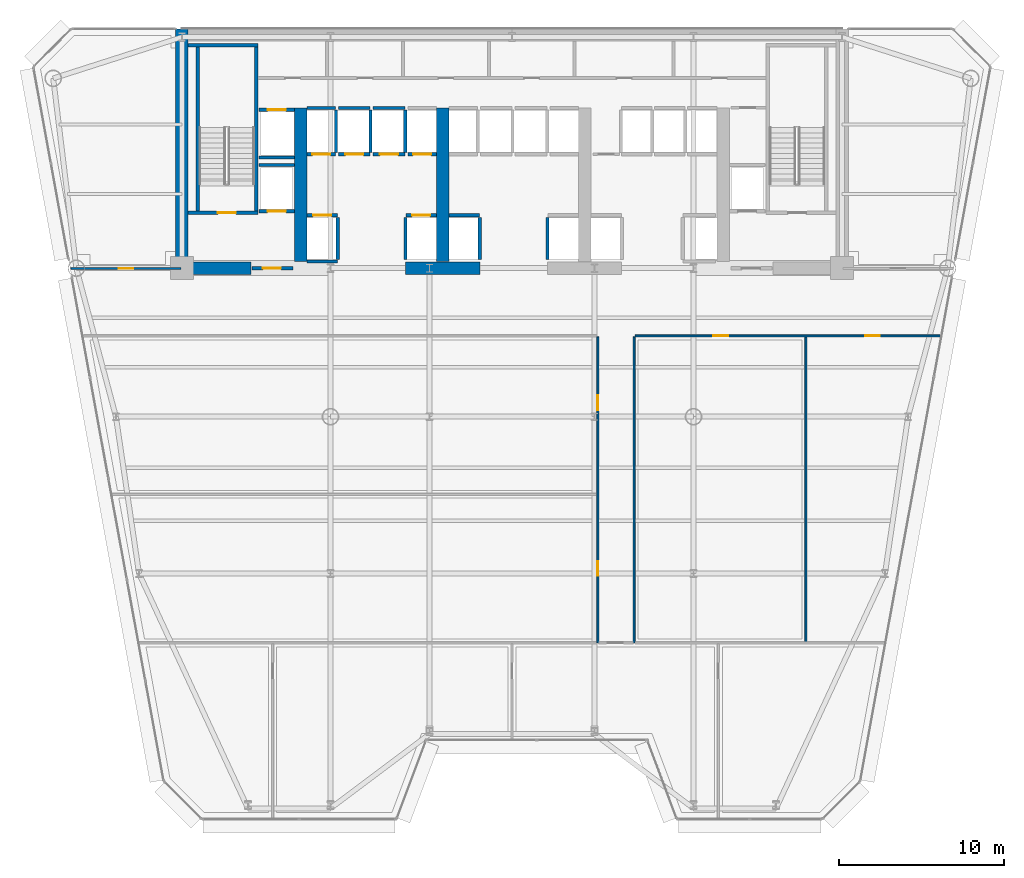
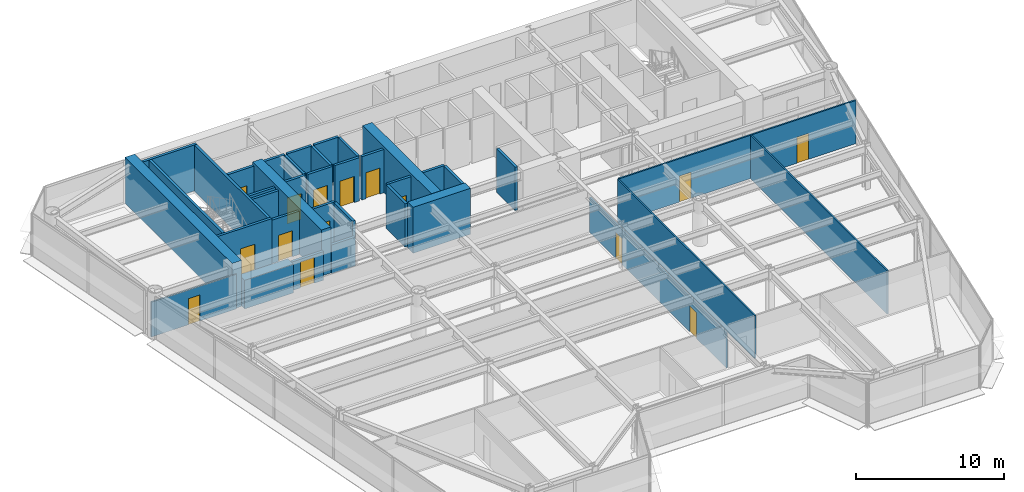
# One storey, part 9 of 15: 37 walls, 15 doors, 15 openings.
"""IFC4 building model written with IfcOpenShell, lengths in metres."""

from ifc_helpers import new_model, si_unit, direction, frame, frame_2d, origin, place, context, subcontext, project, spatial, rectangle, extrude, source, transform, mapped, material, layer, layer_set, type_object, element, fill, save


model = new_model("IFC4")

# Units and contexts
model_context = context("Model", 3, precision=1e-05, world=origin(), true_north=direction((0.0, 1.0)))
body_context = subcontext(model_context, "Body", "Model", "MODEL_VIEW")
ifc_project = project(units=[si_unit("LENGTHUNIT", "METRE"), si_unit("AREAUNIT", "SQUARE_METRE"), si_unit("VOLUMEUNIT", "CUBIC_METRE"), si_unit("PLANEANGLEUNIT", "RADIAN"), si_unit("MASSUNIT", "GRAM", prefix="KILO")], contexts=[model_context])

# Site, building, storey
site_placement = place(None, origin())
site = spatial("IfcSite", under=ifc_project, at=site_placement, CompositionType="ELEMENT")
building_placement = place(site_placement, origin())
building = spatial("IfcBuilding", under=site, at=building_placement, Name="Vaeldorn Concourse Tower", CompositionType="ELEMENT")
storey_placement = place(building_placement, frame((0.0, 0.0, 95.800048828125)))
storey = spatial("IfcBuildingStorey", under=building, at=storey_placement, Name="L24", CompositionType="ELEMENT", Elevation=95.800048828125)

# Walls
ifc_material_1 = material(Name="Concrete C60/75", Category="concrete")
ifc_layer_1 = layer(ifc_material_1, 0.75)
ifc_layer_set_1 = layer_set([ifc_layer_1], Name="Concrete C60/75")
wall_type_1 = type_object("IfcWallType", Name="WL-CORE-750", PredefinedType="SHEAR", material=ifc_layer_set_1)
wall_1_placement = place(storey_placement, frame((14.0, 36.5, 0.0), z_axis=(0.0, 0.0, 1.0), x_axis=(0.0, 1.0, 0.0)))
element("IfcWall", 1, at=wall_1_placement, inside=storey, type_object=wall_type_1, Name="Rear Core Shear Wall L24 W1", PredefinedType="SHEAR", context=body_context, shape_type="SweptSolid", body=[
    extrude(rectangle(XDim=14.5, YDim=0.75, at=frame_2d((7.25, 0.0))), origin(), (0.0, 0.0, 1.0), 3.800048828125),
])
wall_2_placement = place(storey_placement, frame((14.39501953125, 36.5, 0.0), z_axis=(0.0, 0.0, 1.0), x_axis=(1.0, 0.0, 0.0)))
element("IfcWall", 2, at=wall_2_placement, inside=storey, type_object=wall_type_1, Name="Rear Core Shear Wall L24 S1", PredefinedType="SHEAR", context=body_context, shape_type="SweptSolid", body=[
    extrude(rectangle(XDim=3.804931640625, YDim=0.75, at=frame_2d((1.90234375, 0.0))), origin(), (0.0, 0.0, 1.0), 2.3798828125),
])
wall_3_placement = place(storey_placement, frame((27.550048828125, 36.5, 0.0), z_axis=(0.0, 0.0, 1.0), x_axis=(1.0, 0.0, 0.0)))
element("IfcWall", 3, at=wall_3_placement, inside=storey, type_object=wall_type_1, Name="Rear Core Shear Wall L24 S2", PredefinedType="SHEAR", context=body_context, shape_type="SweptSolid", body=[
    extrude(rectangle(XDim=4.5, YDim=0.75, at=frame_2d((2.25, 0.0))), origin(), (0.0, 0.0, 1.0), 3.800048828125),
])
for number, where, z_axis, x_axis, name in (
    (4, (21.199951171875, 36.89501953125, 0.0), (0.0, 0.0, 1.0), (0.0, 1.0, 0.0), "Rear Core Shear Wall L24 M1"),
    (5, (29.800048828125, 36.89501953125, 0.0), (0.0, 0.0, 1.0), (0.0, 1.0, 0.0), "Rear Core Shear Wall L24 M2"),
):
    element("IfcWall", number, at=place(storey_placement, frame(where, z_axis=z_axis, x_axis=x_axis)), inside=storey, type_object=wall_type_1, Name=name, PredefinedType="SHEAR", context=body_context, shape_type="SweptSolid", body=[
        extrude(rectangle(XDim=9.304931640625, YDim=0.75, at=frame_2d((4.65234375, 0.0))), origin(), (0.0, 0.0, 1.0), 3.800048828125),
    ])

# Wall, openings, doors
ifc_material_2 = material(Name="Gypsum Board Partition", Category="gypsum")
ifc_layer_2 = layer(ifc_material_2, 0.1201171875)
ifc_layer_set_2 = layer_set([ifc_layer_2], Name="Gypsum Board Partition")
wall_type_2 = type_object("IfcWallType", Name="WL-PART-120", PredefinedType="PARTITIONING", material=ifc_layer_set_2)
wall_4_placement = place(storey_placement, frame((41.4599609375, 32.39990234375, 0.0), z_axis=(0.0, 0.0, 1.0), x_axis=(1.0, 0.0, 0.0)))
wall_4 = element("IfcWall", 6, at=wall_4_placement, inside=storey, type_object=wall_type_2, Name="Interior Wall PW-L24-C2SE", PredefinedType="PARTITIONING", context=body_context, shape_type="SweptSolid", body=[
    extrude(rectangle(XDim=18.524658203125, YDim=0.1201171875, at=frame_2d((9.26220703125, 0.0))), origin(), (0.0, 0.0, 1.0), 3.579833984375),
])
opening_1_placement = place(wall_4_placement, frame((4.739990234375, 0.0, 0.0)))
opening_1 = element("IfcOpeningElement", 7, at=opening_1_placement, cuts=wall_4, Name="Opening D-03", PredefinedType="OPENING", context=body_context, shape_type="SweptSolid", body=[
    extrude(rectangle(XDim=0.89990234375, YDim=2.14990234375, at=frame_2d((0.449951171875, 1.074951171875))), frame((0.0, 0.070068359375, 0.0), z_axis=(0.0, -1.0, 0.0), x_axis=(1.0, 0.0, 0.0)), (0.0, 0.0, 1.0), 0.14013671875),
])
opening_2_placement = place(wall_4_placement, frame((13.931884765625, 0.0, 0.0)))
opening_2 = element("IfcOpeningElement", 8, at=opening_2_placement, cuts=wall_4, Name="Opening D-03", PredefinedType="OPENING", context=body_context, shape_type="SweptSolid", body=[
    extrude(rectangle(XDim=0.89990234375, YDim=2.14990234375, at=frame_2d((0.449951171875, 1.074951171875))), frame((0.0, 0.070068359375, 0.0), z_axis=(0.0, -1.0, 0.0), x_axis=(1.0, 0.0, 0.0)), (0.0, 0.0, 1.0), 0.14013671875),
])
ifc_material_3 = material(Name="Acoustic Bronze-Framed Glass Door", Category="glass")
door_type_1 = type_object("IfcDoorType", Name="DR-INT-900", OperationType="NOTDEFINED", PredefinedType="DOOR", material=ifc_material_3)
shared_shape_1 = source(origin(), body_context, "Body", "SweptSolid", [
    extrude(rectangle(XDim=0.89990234375, YDim=2.14990234375, at=frame_2d((0.449951171875, 1.074951171875))), frame((0.0, 0.02490234375, 0.0), z_axis=(0.0, -1.0, 0.0), x_axis=(1.0, 0.0, 0.0)), (0.0, 0.0, 1.0), 0.050048828125),
])
door_1_placement = place(opening_1_placement, origin())
door_1 = element("IfcDoor", 9, at=door_1_placement, inside=storey, type_object=door_type_1, Name="Interior Door DR-L24-Z2E1", OperationType="SINGLE_SWING_RIGHT", OverallHeight=2.14990234375, OverallWidth=0.89990234375, PredefinedType="DOOR", context=body_context, shape_type="MappedRepresentation", body=[
    mapped(shared_shape_1, transform((0.0, 0.0, 0.0), scale=1.0)),
])
fill(opening_1, door_1)
door_2_placement = place(opening_2_placement, origin())
door_2 = element("IfcDoor", 10, at=door_2_placement, inside=storey, type_object=door_type_1, Name="Interior Door DR-L24-Z2E2", OperationType="SINGLE_SWING_LEFT", OverallHeight=2.14990234375, OverallWidth=0.89990234375, PredefinedType="DOOR", context=body_context, shape_type="MappedRepresentation", body=[
    mapped(shared_shape_1, transform((0.0, 0.0, 0.0), scale=1.0)),
])
fill(opening_2, door_2)

wall_5_placement = place(storey_placement, frame((39.199951171875, 13.800048828125, 0.0), z_axis=(0.0, 0.0, 1.0), x_axis=(0.0, 1.0, 0.0)))
wall_5 = element("IfcWall", 11, at=wall_5_placement, inside=storey, type_object=wall_type_2, Name="Interior Wall PW-L24-SP2W", PredefinedType="PARTITIONING", context=body_context, shape_type="SweptSolid", body=[
    extrude(rectangle(XDim=18.5400390625, YDim=0.1201171875, at=frame_2d((9.27001953125, 0.0))), origin(), (0.0, 0.0, 1.0), 2.869873046875),
])
opening_3_placement = place(wall_5_placement, frame((4.050048828125, 0.0, 0.0)))
opening_3 = element("IfcOpeningElement", 12, at=opening_3_placement, cuts=wall_5, Name="Opening D-03", PredefinedType="OPENING", context=body_context, shape_type="SweptSolid", body=[
    extrude(rectangle(XDim=0.89990234375, YDim=2.14990234375, at=frame_2d((0.449951171875, 1.074951171875))), frame((0.0, 0.070068359375, 0.0), z_axis=(0.0, -1.0, 0.0), x_axis=(1.0, 0.0, 0.0)), (0.0, 0.0, 1.0), 0.14013671875),
])
opening_4_placement = place(wall_5_placement, frame((14.10009765625, 0.0, 0.0)))
opening_4 = element("IfcOpeningElement", 13, at=opening_4_placement, cuts=wall_5, Name="Opening D-03", PredefinedType="OPENING", context=body_context, shape_type="SweptSolid", body=[
    extrude(rectangle(XDim=0.89990234375, YDim=2.14990234375, at=frame_2d((0.449951171875, 1.074951171875))), frame((0.0, 0.070068359375, 0.0), z_axis=(0.0, -1.0, 0.0), x_axis=(1.0, 0.0, 0.0)), (0.0, 0.0, 1.0), 0.14013671875),
])
door_3_placement = place(opening_3_placement, origin())
door_3 = element("IfcDoor", 14, at=door_3_placement, inside=storey, type_object=door_type_1, Name="Interior Door DR-L24-Z2W1", OperationType="SINGLE_SWING_LEFT", OverallHeight=2.14990234375, OverallWidth=0.89990234375, PredefinedType="DOOR", context=body_context, shape_type="MappedRepresentation", body=[
    mapped(shared_shape_1, transform((0.0, 0.0, 0.0), scale=1.0)),
])
fill(opening_3, door_3)
door_4_placement = place(opening_4_placement, origin())
door_4 = element("IfcDoor", 15, at=door_4_placement, inside=storey, type_object=door_type_1, Name="Interior Door DR-L24-Z2W2", OperationType="SINGLE_SWING_RIGHT", OverallHeight=2.14990234375, OverallWidth=0.89990234375, PredefinedType="DOOR", context=body_context, shape_type="MappedRepresentation", body=[
    mapped(shared_shape_1, transform((0.0, 0.0, 0.0), scale=1.0)),
])
fill(opening_4, door_4)

# Wall
wall_6_placement = place(storey_placement, frame((41.39990234375, 13.800048828125, 0.0), z_axis=(0.0, 0.0, 1.0), x_axis=(0.0, 1.0, 0.0)))
element("IfcWall", 16, at=wall_6_placement, inside=storey, type_object=wall_type_2, Name="Interior Wall PW-L24-SP2E", PredefinedType="PARTITIONING", context=body_context, shape_type="SweptSolid", body=[
    extrude(rectangle(XDim=18.5400390625, YDim=0.1201171875, at=frame_2d((9.27001953125, 0.0))), origin(), (0.0, 0.0, 1.0), 3.579833984375),
])

# Wall, opening, door
wall_7_placement = place(storey_placement, frame((7.27587890625, 36.47998046875, 0.0), z_axis=(0.0, 0.0, 1.0), x_axis=(1.0, 0.0, 0.0)))
wall_7 = element("IfcWall", 17, at=wall_7_placement, inside=storey, type_object=wall_type_2, Name="Interior Wall PW-L24-NWS", PredefinedType="PARTITIONING", context=body_context, shape_type="SweptSolid", body=[
    extrude(rectangle(XDim=6.6640625, YDim=0.1201171875, at=frame_2d((3.33203125, 0.0))), origin(), (0.0, 0.0, 1.0), 2.869873046875),
])
opening_5_placement = place(wall_7_placement, frame((2.882080078125, 0.0, 0.0)))
opening_5 = element("IfcOpeningElement", 18, at=opening_5_placement, cuts=wall_7, Name="Opening D-03", PredefinedType="OPENING", context=body_context, shape_type="SweptSolid", body=[
    extrude(rectangle(XDim=0.89990234375, YDim=2.14990234375, at=frame_2d((0.449951171875, 1.074951171875))), frame((0.0, 0.070068359375, 0.0), z_axis=(0.0, -1.0, 0.0), x_axis=(1.0, 0.0, 0.0)), (0.0, 0.0, 1.0), 0.14013671875),
])
door_5_placement = place(opening_5_placement, origin())
door_5 = element("IfcDoor", 19, at=door_5_placement, inside=storey, type_object=door_type_1, Name="Interior Door DR-L24-NWC", OperationType="SINGLE_SWING_LEFT", OverallHeight=2.14990234375, OverallWidth=0.89990234375, PredefinedType="DOOR", context=body_context, shape_type="MappedRepresentation", body=[
    mapped(shared_shape_1, transform((0.0, 0.0, 0.0), scale=1.0)),
])
fill(opening_5, door_5)

# Wall
wall_8_placement = place(storey_placement, frame((51.800048828125, 13.860107421875, 0.0), z_axis=(0.0, 0.0, 1.0), x_axis=(0.0, 1.0, 0.0)))
element("IfcWall", 20, at=wall_8_placement, inside=storey, type_object=wall_type_2, Name="Interior Wall PW-L24-Z2EX1", PredefinedType="PARTITIONING", context=body_context, shape_type="SweptSolid", body=[
    extrude(rectangle(XDim=18.47998046875, YDim=0.1201171875, at=frame_2d((9.239990234375, 0.0))), origin(), (0.0, 0.0, 1.0), 3.579833984375),
])

# Wall, opening, door
ifc_material_4 = material(Name="Concrete C50/60", Category="concrete")
ifc_layer_3 = layer(ifc_material_4, 0.199951171875)
ifc_layer_set_3 = layer_set([ifc_layer_3], Name="Concrete C50/60")
wall_type_3 = type_object("IfcWallType", Name="WL-SHAFT-200", PredefinedType="SOLIDWALL", material=ifc_layer_set_3)
wall_9_placement = place(storey_placement, frame((14.375, 39.85009765625, 0.0), z_axis=(0.0, 0.0, 1.0), x_axis=(1.0, 0.0, 0.0)))
wall_9 = element("IfcWall", 21, at=wall_9_placement, inside=storey, type_object=wall_type_3, Name="Stair Shaft Wall CW-L24-ST-1-S", PredefinedType="SOLIDWALL", context=body_context, shape_type="SweptSolid", body=[
    extrude(rectangle(XDim=4.22509765625, YDim=0.199951171875, at=frame_2d((2.112548828125, 0.0))), origin(), (0.0, 0.0, 1.0), 3.800048828125),
])
opening_6_placement = place(wall_9_placement, frame((1.800048828125, 0.0, 0.0)))
opening_6 = element("IfcOpeningElement", 22, at=opening_6_placement, cuts=wall_9, Name="Opening D-01", PredefinedType="OPENING", context=body_context, shape_type="SweptSolid", body=[
    extrude(rectangle(XDim=1.10009765625, YDim=2.14990234375, at=frame_2d((0.550048828125, 1.074951171875))), frame((0.0, 0.10986328125, 0.0), z_axis=(0.0, -1.0, 0.0), x_axis=(1.0, 0.0, 0.0)), (0.0, 0.0, 1.0), 0.219970703125),
])
ifc_material_5 = material(Name="Fire-Rated Timber and Steel Leaf", Category="steel")
door_type_2 = type_object("IfcDoorType", Name="DR-FD60-1100", OperationType="NOTDEFINED", PredefinedType="DOOR", material=ifc_material_5)
shared_shape_2 = source(origin(), body_context, "Body", "SweptSolid", [
    extrude(rectangle(XDim=1.10009765625, YDim=2.14990234375, at=frame_2d((0.550048828125, 1.074951171875))), frame((0.0, 0.02490234375, 0.0), z_axis=(0.0, -1.0, 0.0), x_axis=(1.0, 0.0, 0.0)), (0.0, 0.0, 1.0), 0.050048828125),
])
door_6_placement = place(opening_6_placement, origin())
door_6 = element("IfcDoor", 23, at=door_6_placement, inside=storey, type_object=door_type_2, Name="Interior Door DR-L24-ST-1", OperationType="SINGLE_SWING_LEFT", OverallHeight=2.14990234375, OverallWidth=1.10009765625, PredefinedType="DOOR", context=body_context, shape_type="MappedRepresentation", body=[
    mapped(shared_shape_2, transform((0.0, 0.0, 0.0), scale=1.0)),
])
fill(opening_6, door_6)

# Walls
wall_10_placement = place(storey_placement, frame((14.375, 50.0, 0.0), z_axis=(0.0, 0.0, 1.0), x_axis=(1.0, 0.0, 0.0)))
element("IfcWall", 24, at=wall_10_placement, inside=storey, type_object=wall_type_3, Name="Stair Shaft Wall CW-L24-ST-1-N", PredefinedType="SOLIDWALL", context=body_context, shape_type="SweptSolid", body=[
    extrude(rectangle(XDim=4.22509765625, YDim=0.199951171875, at=frame_2d((2.112548828125, 0.0))), origin(), (0.0, 0.0, 1.0), 3.800048828125),
])
for number, where, z_axis, x_axis, name in (
    (25, (14.949951171875, 39.9599609375, 0.0), (0.0, 0.0, 1.0), (0.0, 1.0, 0.0), "Stair Shaft Wall CW-L24-ST-1-W"),
    (26, (18.5, 39.9599609375, 0.0), (0.0, 0.0, 1.0), (0.0, 1.0, 0.0), "Stair Shaft Wall CW-L24-ST-1-E"),
):
    element("IfcWall", number, at=place(storey_placement, frame(where, z_axis=z_axis, x_axis=x_axis)), inside=storey, type_object=wall_type_3, Name=name, PredefinedType="SOLIDWALL", context=body_context, shape_type="SweptSolid", body=[
        extrude(rectangle(XDim=9.929931640625, YDim=0.199951171875, at=frame_2d((4.96484375, 0.0))), origin(), (0.0, 0.0, 1.0), 3.800048828125),
    ])

# Wall, opening, door
wall_11_placement = place(storey_placement, frame((18.25, 36.5, 0.0), z_axis=(0.0, 0.0, 1.0), x_axis=(1.0, 0.0, 0.0)))
wall_11 = element("IfcWall", 27, at=wall_11_placement, inside=storey, type_object=wall_type_3, Name="Interior Wall CW-L24-FF1S", PredefinedType="SOLIDWALL", context=body_context, shape_type="SweptSolid", body=[
    extrude(rectangle(XDim=2.469970703125, YDim=0.199951171875, at=frame_2d((1.23486328125, 0.0))), origin(), (0.0, 0.0, 1.0), 2.369873046875),
])
opening_7_placement = place(wall_11_placement, frame((0.64990234375, 0.0, 0.0)))
opening_7 = element("IfcOpeningElement", 28, at=opening_7_placement, cuts=wall_11, Name="Opening D-01", PredefinedType="OPENING", context=body_context, shape_type="SweptSolid", body=[
    extrude(rectangle(XDim=1.10009765625, YDim=2.14990234375, at=frame_2d((0.550048828125, 1.074951171875))), frame((0.0, 0.10986328125, 0.0), z_axis=(0.0, -1.0, 0.0), x_axis=(1.0, 0.0, 0.0)), (0.0, 0.0, 1.0), 0.219970703125),
])
door_7_placement = place(opening_7_placement, origin())
door_7 = element("IfcDoor", 29, at=door_7_placement, inside=storey, type_object=door_type_2, Name="Interior Door DR-L24-FF1E", OperationType="SINGLE_SWING_RIGHT", OverallHeight=2.14990234375, OverallWidth=1.10009765625, PredefinedType="DOOR", context=body_context, shape_type="MappedRepresentation", body=[
    mapped(shared_shape_2, transform((0.0, 0.0, 0.0), scale=1.0)),
])
fill(opening_7, door_7)

wall_12_placement = place(storey_placement, frame((21.5849609375, 39.699951171875, 0.0), z_axis=(0.0, 0.0, 1.0), x_axis=(1.0, 0.0, 0.0)))
wall_12 = element("IfcWall", 30, at=wall_12_placement, inside=storey, type_object=wall_type_3, Name="Interior Wall CW-L24-LF-LF-01", PredefinedType="SOLIDWALL", context=body_context, shape_type="SweptSolid", body=[
    extrude(rectangle(XDim=1.844970703125, YDim=0.199951171875, at=frame_2d((0.92236328125, 0.0))), origin(), (0.0, 0.0, 1.0), 3.579833984375),
])
opening_8_placement = place(wall_12_placement, frame((0.3720703125, 0.0, 0.0)))
opening_8 = element("IfcOpeningElement", 31, at=opening_8_placement, cuts=wall_12, Name="Opening LD-1", PredefinedType="OPENING", context=body_context, shape_type="SweptSolid", body=[
    extrude(rectangle(XDim=1.10009765625, YDim=2.14990234375, at=frame_2d((0.550048828125, 1.074951171875))), frame((0.0, 0.10986328125, 0.0), z_axis=(0.0, -1.0, 0.0), x_axis=(1.0, 0.0, 0.0)), (0.0, 0.0, 1.0), 0.219970703125),
])
ifc_material_6 = material(Name="Anodised Bronze Aluminium", Category="aluminium")
door_type_3 = type_object("IfcDoorType", Name="DR-LIFT-SLIDE-1100", OperationType="DOUBLE_DOOR_SLIDING", PredefinedType="DOOR", material=ifc_material_6)
door_8_placement = place(opening_8_placement, origin())
door_8 = element("IfcDoor", 32, at=door_8_placement, inside=storey, type_object=door_type_3, Name="Lift Landing Door LD-L24-LF-01", OperationType="DOUBLE_DOOR_SLIDING", OverallHeight=2.14990234375, OverallWidth=1.10009765625, PredefinedType="DOOR", context=body_context, shape_type="MappedRepresentation", body=[
    mapped(shared_shape_2, transform((0.0, 0.0, 0.0), scale=1.0)),
])
fill(opening_8, door_8)

# Walls
wall_13_placement = place(storey_placement, frame((21.5849609375, 36.89990234375, 0.0), z_axis=(0.0, 0.0, 1.0), x_axis=(1.0, 0.0, 0.0)))
element("IfcWall", 33, at=wall_13_placement, inside=storey, type_object=wall_type_3, Name="Interior Wall CW-L24-LFB-LF-01", PredefinedType="SOLIDWALL", context=body_context, shape_type="SweptSolid", body=[
    extrude(rectangle(XDim=1.844970703125, YDim=0.199951171875, at=frame_2d((0.92236328125, 0.0))), origin(), (0.0, 0.0, 1.0), 2.369873046875),
])
wall_14_placement = place(storey_placement, frame((23.449951171875, 37.02001953125, 0.0), z_axis=(0.0, 0.0, 1.0), x_axis=(0.0, 1.0, 0.0)))
element("IfcWall", 34, at=wall_14_placement, inside=storey, type_object=wall_type_3, Name="Interior Wall CW-L24-LFE-LF-01", PredefinedType="SOLIDWALL", context=body_context, shape_type="SweptSolid", body=[
    extrude(rectangle(XDim=2.56005859375, YDim=0.199951171875, at=frame_2d((1.280029296875, 0.0))), origin(), (0.0, 0.0, 1.0), 3.579833984375),
])

# Wall, opening, door
wall_15_placement = place(storey_placement, frame((27.570068359375, 39.699951171875, 0.0), z_axis=(0.0, 0.0, 1.0), x_axis=(1.0, 0.0, 0.0)))
wall_15 = element("IfcWall", 35, at=wall_15_placement, inside=storey, type_object=wall_type_3, Name="Interior Wall CW-L24-LF-LF-02", PredefinedType="SOLIDWALL", context=body_context, shape_type="SweptSolid", body=[
    extrude(rectangle(XDim=1.844970703125, YDim=0.199951171875, at=frame_2d((0.92236328125, 0.0))), origin(), (0.0, 0.0, 1.0), 3.579833984375),
])
opening_9_placement = place(wall_15_placement, frame((0.3720703125, 0.0, 0.0)))
opening_9 = element("IfcOpeningElement", 36, at=opening_9_placement, cuts=wall_15, Name="Opening LD-1", PredefinedType="OPENING", context=body_context, shape_type="SweptSolid", body=[
    extrude(rectangle(XDim=1.10009765625, YDim=2.14990234375, at=frame_2d((0.550048828125, 1.074951171875))), frame((0.0, 0.10986328125, 0.0), z_axis=(0.0, -1.0, 0.0), x_axis=(1.0, 0.0, 0.0)), (0.0, 0.0, 1.0), 0.219970703125),
])
door_9_placement = place(opening_9_placement, origin())
door_9 = element("IfcDoor", 37, at=door_9_placement, inside=storey, type_object=door_type_3, Name="Lift Landing Door LD-L24-LF-02", OperationType="DOUBLE_DOOR_SLIDING", OverallHeight=2.14990234375, OverallWidth=1.10009765625, PredefinedType="DOOR", context=body_context, shape_type="MappedRepresentation", body=[
    mapped(shared_shape_2, transform((0.0, 0.0, 0.0), scale=1.0)),
])
fill(opening_9, door_9)

# Wall
wall_16_placement = place(storey_placement, frame((27.550048828125, 37.02001953125, 0.0), z_axis=(0.0, 0.0, 1.0), x_axis=(0.0, 1.0, 0.0)))
element("IfcWall", 38, at=wall_16_placement, inside=storey, type_object=wall_type_3, Name="Interior Wall CW-L24-LFW-LF-02", PredefinedType="SOLIDWALL", context=body_context, shape_type="SweptSolid", body=[
    extrude(rectangle(XDim=2.56005859375, YDim=0.199951171875, at=frame_2d((1.280029296875, 0.0))), origin(), (0.0, 0.0, 1.0), 3.579833984375),
])

# Wall, opening, door
wall_17_placement = place(storey_placement, frame((21.5849609375, 43.39990234375, 0.0), z_axis=(0.0, 0.0, 1.0), x_axis=(1.0, 0.0, 0.0)))
wall_17 = element("IfcWall", 39, at=wall_17_placement, inside=storey, type_object=wall_type_3, Name="Interior Wall CW-L24-LF-LF-03", PredefinedType="SOLIDWALL", context=body_context, shape_type="SweptSolid", body=[
    extrude(rectangle(XDim=1.72509765625, YDim=0.199951171875, at=frame_2d((0.862548828125, 0.0))), origin(), (0.0, 0.0, 1.0), 3.579833984375),
])
opening_10_placement = place(wall_17_placement, frame((0.31201171875, 0.0, 0.0)))
opening_10 = element("IfcOpeningElement", 40, at=opening_10_placement, cuts=wall_17, Name="Opening LD-1", PredefinedType="OPENING", context=body_context, shape_type="SweptSolid", body=[
    extrude(rectangle(XDim=1.10009765625, YDim=2.14990234375, at=frame_2d((0.550048828125, 1.074951171875))), frame((0.0, 0.10986328125, 0.0), z_axis=(0.0, -1.0, 0.0), x_axis=(1.0, 0.0, 0.0)), (0.0, 0.0, 1.0), 0.219970703125),
])
door_10_placement = place(opening_10_placement, origin())
door_10 = element("IfcDoor", 41, at=door_10_placement, inside=storey, type_object=door_type_3, Name="Lift Landing Door LD-L24-LF-03", OperationType="DOUBLE_DOOR_SLIDING", OverallHeight=2.14990234375, OverallWidth=1.10009765625, PredefinedType="DOOR", context=body_context, shape_type="MappedRepresentation", body=[
    mapped(shared_shape_2, transform((0.0, 0.0, 0.0), scale=1.0)),
])
fill(opening_10, door_10)

# Walls
wall_18_placement = place(storey_placement, frame((21.5849609375, 46.199951171875, 0.0), z_axis=(0.0, 0.0, 1.0), x_axis=(1.0, 0.0, 0.0)))
element("IfcWall", 42, at=wall_18_placement, inside=storey, type_object=wall_type_3, Name="Interior Wall CW-L24-LFB-LF-03", PredefinedType="SOLIDWALL", context=body_context, shape_type="SweptSolid", body=[
    extrude(rectangle(XDim=1.72509765625, YDim=0.199951171875, at=frame_2d((0.862548828125, 0.0))), origin(), (0.0, 0.0, 1.0), 3.579833984375),
])
wall_19_placement = place(storey_placement, frame((23.330078125, 43.52001953125, 0.0), z_axis=(0.0, 0.0, 1.0), x_axis=(0.0, 1.0, 0.0)))
element("IfcWall", 43, at=wall_19_placement, inside=storey, type_object=wall_type_3, Name="Interior Wall CW-L24-LFE-LF-03", PredefinedType="SOLIDWALL", context=body_context, shape_type="SweptSolid", body=[
    extrude(rectangle(XDim=2.56005859375, YDim=0.199951171875, at=frame_2d((1.280029296875, 0.0))), origin(), (0.0, 0.0, 1.0), 3.579833984375),
])

# Wall, opening, door
wall_20_placement = place(storey_placement, frame((23.489990234375, 43.39990234375, 0.0), z_axis=(0.0, 0.0, 1.0), x_axis=(1.0, 0.0, 0.0)))
wall_20 = element("IfcWall", 44, at=wall_20_placement, inside=storey, type_object=wall_type_3, Name="Interior Wall CW-L24-LF-LF-04", PredefinedType="SOLIDWALL", context=body_context, shape_type="SweptSolid", body=[
    extrude(rectangle(XDim=1.919921875, YDim=0.199951171875, at=frame_2d((0.9599609375, 0.0))), origin(), (0.0, 0.0, 1.0), 3.579833984375),
])
opening_11_placement = place(wall_20_placement, frame((0.409912109375, 0.0, 0.0)))
opening_11 = element("IfcOpeningElement", 45, at=opening_11_placement, cuts=wall_20, Name="Opening LD-1", PredefinedType="OPENING", context=body_context, shape_type="SweptSolid", body=[
    extrude(rectangle(XDim=1.10009765625, YDim=2.14990234375, at=frame_2d((0.550048828125, 1.074951171875))), frame((0.0, 0.10986328125, 0.0), z_axis=(0.0, -1.0, 0.0), x_axis=(1.0, 0.0, 0.0)), (0.0, 0.0, 1.0), 0.219970703125),
])
door_11_placement = place(opening_11_placement, origin())
door_11 = element("IfcDoor", 46, at=door_11_placement, inside=storey, type_object=door_type_3, Name="Lift Landing Door LD-L24-LF-04", OperationType="DOUBLE_DOOR_SLIDING", OverallHeight=2.14990234375, OverallWidth=1.10009765625, PredefinedType="DOOR", context=body_context, shape_type="MappedRepresentation", body=[
    mapped(shared_shape_2, transform((0.0, 0.0, 0.0), scale=1.0)),
])
fill(opening_11, door_11)

# Walls
wall_21_placement = place(storey_placement, frame((23.489990234375, 46.199951171875, 0.0), z_axis=(0.0, 0.0, 1.0), x_axis=(1.0, 0.0, 0.0)))
element("IfcWall", 47, at=wall_21_placement, inside=storey, type_object=wall_type_3, Name="Interior Wall CW-L24-LFB-LF-04", PredefinedType="SOLIDWALL", context=body_context, shape_type="SweptSolid", body=[
    extrude(rectangle(XDim=1.919921875, YDim=0.199951171875, at=frame_2d((0.9599609375, 0.0))), origin(), (0.0, 0.0, 1.0), 3.579833984375),
])
wall_22_placement = place(storey_placement, frame((25.429931640625, 43.52001953125, 0.0), z_axis=(0.0, 0.0, 1.0), x_axis=(0.0, 1.0, 0.0)))
element("IfcWall", 48, at=wall_22_placement, inside=storey, type_object=wall_type_3, Name="Interior Wall CW-L24-LFE-LF-04", PredefinedType="SOLIDWALL", context=body_context, shape_type="SweptSolid", body=[
    extrude(rectangle(XDim=2.56005859375, YDim=0.199951171875, at=frame_2d((1.280029296875, 0.0))), origin(), (0.0, 0.0, 1.0), 3.579833984375),
])

# Wall, opening, door
wall_23_placement = place(storey_placement, frame((25.590087890625, 43.39990234375, 0.0), z_axis=(0.0, 0.0, 1.0), x_axis=(1.0, 0.0, 0.0)))
wall_23 = element("IfcWall", 49, at=wall_23_placement, inside=storey, type_object=wall_type_3, Name="Interior Wall CW-L24-LF-LF-05", PredefinedType="SOLIDWALL", context=body_context, shape_type="SweptSolid", body=[
    extrude(rectangle(XDim=1.919921875, YDim=0.199951171875, at=frame_2d((0.9599609375, 0.0))), origin(), (0.0, 0.0, 1.0), 3.579833984375),
])
opening_12_placement = place(wall_23_placement, frame((0.409912109375, 0.0, 0.0)))
opening_12 = element("IfcOpeningElement", 50, at=opening_12_placement, cuts=wall_23, Name="Opening LD-1", PredefinedType="OPENING", context=body_context, shape_type="SweptSolid", body=[
    extrude(rectangle(XDim=1.10009765625, YDim=2.14990234375, at=frame_2d((0.550048828125, 1.074951171875))), frame((0.0, 0.10986328125, 0.0), z_axis=(0.0, -1.0, 0.0), x_axis=(1.0, 0.0, 0.0)), (0.0, 0.0, 1.0), 0.219970703125),
])
door_12_placement = place(opening_12_placement, origin())
door_12 = element("IfcDoor", 51, at=door_12_placement, inside=storey, type_object=door_type_3, Name="Lift Landing Door LD-L24-LF-05", OperationType="DOUBLE_DOOR_SLIDING", OverallHeight=2.14990234375, OverallWidth=1.10009765625, PredefinedType="DOOR", context=body_context, shape_type="MappedRepresentation", body=[
    mapped(shared_shape_2, transform((0.0, 0.0, 0.0), scale=1.0)),
])
fill(opening_12, door_12)

# Walls
wall_24_placement = place(storey_placement, frame((25.590087890625, 46.199951171875, 0.0), z_axis=(0.0, 0.0, 1.0), x_axis=(1.0, 0.0, 0.0)))
element("IfcWall", 52, at=wall_24_placement, inside=storey, type_object=wall_type_3, Name="Interior Wall CW-L24-LFB-LF-05", PredefinedType="SOLIDWALL", context=body_context, shape_type="SweptSolid", body=[
    extrude(rectangle(XDim=1.919921875, YDim=0.199951171875, at=frame_2d((0.9599609375, 0.0))), origin(), (0.0, 0.0, 1.0), 3.579833984375),
])
wall_25_placement = place(storey_placement, frame((27.530029296875, 43.52001953125, 0.0), z_axis=(0.0, 0.0, 1.0), x_axis=(0.0, 1.0, 0.0)))
element("IfcWall", 53, at=wall_25_placement, inside=storey, type_object=wall_type_3, Name="Interior Wall CW-L24-LFE-LF-05", PredefinedType="SOLIDWALL", context=body_context, shape_type="SweptSolid", body=[
    extrude(rectangle(XDim=2.56005859375, YDim=0.199951171875, at=frame_2d((1.280029296875, 0.0))), origin(), (0.0, 0.0, 1.0), 3.579833984375),
])

# Wall, opening, door
wall_26_placement = place(storey_placement, frame((27.68994140625, 43.39990234375, 0.0), z_axis=(0.0, 0.0, 1.0), x_axis=(1.0, 0.0, 0.0)))
wall_26 = element("IfcWall", 54, at=wall_26_placement, inside=storey, type_object=wall_type_3, Name="Interior Wall CW-L24-LF-LF-06", PredefinedType="SOLIDWALL", context=body_context, shape_type="SweptSolid", body=[
    extrude(rectangle(XDim=1.72509765625, YDim=0.199951171875, at=frame_2d((0.862548828125, 0.0))), origin(), (0.0, 0.0, 1.0), 3.579833984375),
])
opening_13_placement = place(wall_26_placement, frame((0.31201171875, 0.0, 0.0)))
opening_13 = element("IfcOpeningElement", 55, at=opening_13_placement, cuts=wall_26, Name="Opening LD-1", PredefinedType="OPENING", context=body_context, shape_type="SweptSolid", body=[
    extrude(rectangle(XDim=1.10009765625, YDim=2.14990234375, at=frame_2d((0.550048828125, 1.074951171875))), frame((0.0, 0.10986328125, 0.0), z_axis=(0.0, -1.0, 0.0), x_axis=(1.0, 0.0, 0.0)), (0.0, 0.0, 1.0), 0.219970703125),
])
door_13_placement = place(opening_13_placement, origin())
door_13 = element("IfcDoor", 56, at=door_13_placement, inside=storey, type_object=door_type_3, Name="Lift Landing Door LD-L24-LF-06", OperationType="DOUBLE_DOOR_SLIDING", OverallHeight=2.14990234375, OverallWidth=1.10009765625, PredefinedType="DOOR", context=body_context, shape_type="MappedRepresentation", body=[
    mapped(shared_shape_2, transform((0.0, 0.0, 0.0), scale=1.0)),
])
fill(opening_13, door_13)

# Walls
wall_27_placement = place(storey_placement, frame((30.18505859375, 39.699951171875, 0.0), z_axis=(0.0, 0.0, 1.0), x_axis=(1.0, 0.0, 0.0)))
element("IfcWall", 57, at=wall_27_placement, inside=storey, type_object=wall_type_3, Name="Interior Wall CW-L24-LF-LF-07", PredefinedType="SOLIDWALL", context=body_context, shape_type="SweptSolid", body=[
    extrude(rectangle(XDim=1.844970703125, YDim=0.199951171875, at=frame_2d((0.92236328125, 0.0))), origin(), (0.0, 0.0, 1.0), 3.579833984375),
])
for number, where, z_axis, x_axis, name in (
    (58, (32.050048828125, 37.02001953125, 0.0), (0.0, 0.0, 1.0), (0.0, 1.0, 0.0), "Interior Wall CW-L24-LFE-LF-07"),
    (59, (36.14990234375, 37.02001953125, 0.0), (0.0, 0.0, 1.0), (0.0, 1.0, 0.0), "Interior Wall CW-L24-LFW-LF-08"),
):
    element("IfcWall", number, at=place(storey_placement, frame(where, z_axis=z_axis, x_axis=x_axis)), inside=storey, type_object=wall_type_3, Name=name, PredefinedType="SOLIDWALL", context=body_context, shape_type="SweptSolid", body=[
        extrude(rectangle(XDim=2.56005859375, YDim=0.199951171875, at=frame_2d((1.280029296875, 0.0))), origin(), (0.0, 0.0, 1.0), 3.579833984375),
    ])

# Wall, opening, door
wall_28_placement = place(storey_placement, frame((18.669921875, 46.10009765625, 0.0), z_axis=(0.0, 0.0, 1.0), x_axis=(1.0, 0.0, 0.0)))
wall_28 = element("IfcWall", 60, at=wall_28_placement, inside=storey, type_object=wall_type_3, Name="Interior Wall CW-L24-LF-LF-SV1", PredefinedType="SOLIDWALL", context=body_context, shape_type="SweptSolid", body=[
    extrude(rectangle(XDim=2.14501953125, YDim=0.199951171875, at=frame_2d((1.072509765625, 0.0))), origin(), (0.0, 0.0, 1.0), 3.579833984375),
])
opening_14_placement = place(wall_28_placement, frame((0.52197265625, 0.0, 0.0)))
opening_14 = element("IfcOpeningElement", 61, at=opening_14_placement, cuts=wall_28, Name="Opening LD-1", PredefinedType="OPENING", context=body_context, shape_type="SweptSolid", body=[
    extrude(rectangle(XDim=1.10009765625, YDim=2.14990234375, at=frame_2d((0.550048828125, 1.074951171875))), frame((0.0, 0.10986328125, 0.0), z_axis=(0.0, -1.0, 0.0), x_axis=(1.0, 0.0, 0.0)), (0.0, 0.0, 1.0), 0.219970703125),
])
door_14_placement = place(opening_14_placement, origin())
door_14 = element("IfcDoor", 62, at=door_14_placement, inside=storey, type_object=door_type_3, Name="Lift Landing Door LD-L24-LF-SV1", OperationType="DOUBLE_DOOR_SLIDING", OverallHeight=2.14990234375, OverallWidth=1.10009765625, PredefinedType="DOOR", context=body_context, shape_type="MappedRepresentation", body=[
    mapped(shared_shape_2, transform((0.0, 0.0, 0.0), scale=1.0)),
])
fill(opening_14, door_14)

# Wall
wall_29_placement = place(storey_placement, frame((18.669921875, 43.199951171875, 0.0), z_axis=(0.0, 0.0, 1.0), x_axis=(1.0, 0.0, 0.0)))
element("IfcWall", 63, at=wall_29_placement, inside=storey, type_object=wall_type_3, Name="Interior Wall CW-L24-LFB-LF-SV1", PredefinedType="SOLIDWALL", context=body_context, shape_type="SweptSolid", body=[
    extrude(rectangle(XDim=2.14501953125, YDim=0.199951171875, at=frame_2d((1.072509765625, 0.0))), origin(), (0.0, 0.0, 1.0), 3.579833984375),
])

# Wall, opening, door
wall_30_placement = place(storey_placement, frame((18.669921875, 39.949951171875, 0.0), z_axis=(0.0, 0.0, 1.0), x_axis=(1.0, 0.0, 0.0)))
wall_30 = element("IfcWall", 64, at=wall_30_placement, inside=storey, type_object=wall_type_3, Name="Interior Wall CW-L24-LF-LF-FF1", PredefinedType="SOLIDWALL", context=body_context, shape_type="SweptSolid", body=[
    extrude(rectangle(XDim=2.14501953125, YDim=0.199951171875, at=frame_2d((1.072509765625, 0.0))), origin(), (0.0, 0.0, 1.0), 3.579833984375),
])
opening_15_placement = place(wall_30_placement, frame((0.52197265625, 0.0, 0.0)))
opening_15 = element("IfcOpeningElement", 65, at=opening_15_placement, cuts=wall_30, Name="Opening LD-1", PredefinedType="OPENING", context=body_context, shape_type="SweptSolid", body=[
    extrude(rectangle(XDim=1.10009765625, YDim=2.14990234375, at=frame_2d((0.550048828125, 1.074951171875))), frame((0.0, 0.10986328125, 0.0), z_axis=(0.0, -1.0, 0.0), x_axis=(1.0, 0.0, 0.0)), (0.0, 0.0, 1.0), 0.219970703125),
])
door_15_placement = place(opening_15_placement, origin())
door_15 = element("IfcDoor", 66, at=door_15_placement, inside=storey, type_object=door_type_3, Name="Lift Landing Door LD-L24-LF-FF1", OperationType="DOUBLE_DOOR_SLIDING", OverallHeight=2.14990234375, OverallWidth=1.10009765625, PredefinedType="DOOR", context=body_context, shape_type="MappedRepresentation", body=[
    mapped(shared_shape_2, transform((0.0, 0.0, 0.0), scale=1.0)),
])
fill(opening_15, door_15)

# Wall
wall_31_placement = place(storey_placement, frame((18.669921875, 42.75, 0.0), z_axis=(0.0, 0.0, 1.0), x_axis=(1.0, 0.0, 0.0)))
element("IfcWall", 67, at=wall_31_placement, inside=storey, type_object=wall_type_3, Name="Interior Wall CW-L24-LFB-LF-FF1", PredefinedType="SOLIDWALL", context=body_context, shape_type="SweptSolid", body=[
    extrude(rectangle(XDim=2.14501953125, YDim=0.199951171875, at=frame_2d((1.072509765625, 0.0))), origin(), (0.0, 0.0, 1.0), 3.579833984375),
])

save(model, "model.ifc")
